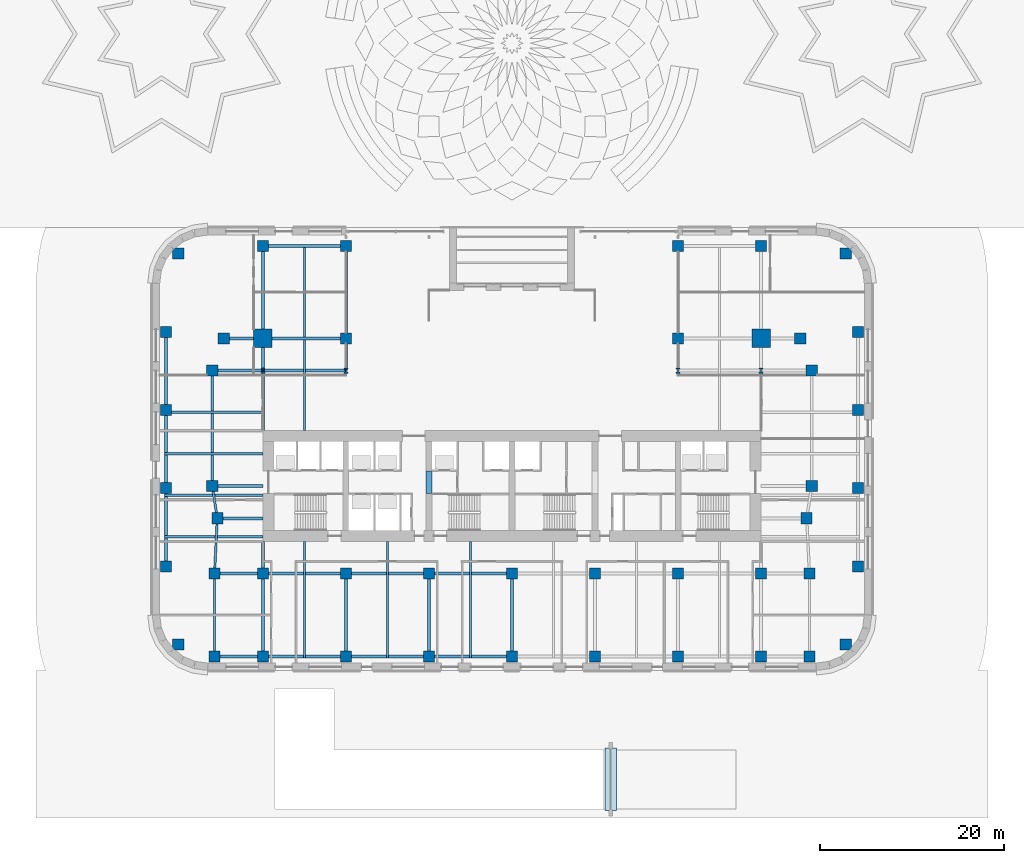
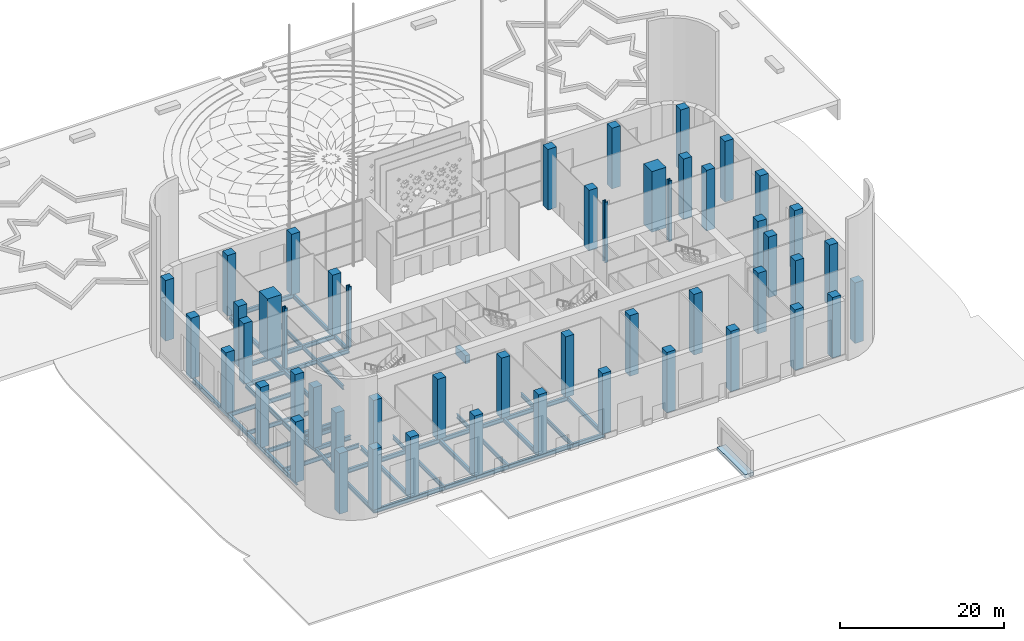
# One storey, part 1 of 23: 50 columns, 31 beams, 1 footing.
"""IFC4 building model written with IfcOpenShell, lengths in metres."""

from ifc_helpers import new_model, si_unit, direction, frame, origin, origin_2d, place, context, subcontext, project, spatial, rectangle, i_section, extrude, material, layer, layer_set, material_profile, profile_set, type_object, element, save


model = new_model("IFC4")

# Units and contexts
model_context = context("Model", 3, precision=1e-05, world=origin(), true_north=direction((0.0, 1.0)))
body_context = subcontext(model_context, "Body", "Model", "MODEL_VIEW")
ifc_project = project(units=[si_unit("LENGTHUNIT", "METRE"), si_unit("AREAUNIT", "SQUARE_METRE"), si_unit("VOLUMEUNIT", "CUBIC_METRE"), si_unit("PLANEANGLEUNIT", "RADIAN"), si_unit("MASSUNIT", "GRAM", prefix="KILO")], contexts=[model_context])

# Site, building, storey
site_placement = place(None, origin())
site = spatial("IfcSite", under=ifc_project, at=site_placement, CompositionType="ELEMENT")
building_placement = place(site_placement, origin())
building = spatial("IfcBuilding", under=site, at=building_placement, Name="Zellij Exchange Tower", CompositionType="ELEMENT")
storey_placement = place(building_placement, origin())
storey = spatial("IfcBuildingStorey", under=building, at=storey_placement, Name="L00", CompositionType="ELEMENT", Elevation=0.0)

# Footing
ifc_material_1 = material(Name="Concrete C40/50", Category="concrete")
ifc_layer = layer(ifc_material_1, 0.5)
ifc_layer_set = layer_set([ifc_layer], Name="Concrete C40/50")
footing_type = type_object("IfcFootingType", Name="STR-STRIP FOOTING 1200x500 C40/50", PredefinedType="STRIP_FOOTING", material=ifc_layer_set)
footing_placement = place(storey_placement, frame((10.705078125, -39.800048828125, -0.5), z_axis=(0.0, 0.0, 1.0), x_axis=(0.0, 1.0, 0.0)))
element("IfcFooting", 1, at=footing_placement, inside=storey, type_object=footing_type, Name="Strip footing SF2", PredefinedType="STRIP_FOOTING", context=body_context, shape_type="SweptSolid", body=[
    extrude(rectangle(XDim=6.800048828125, YDim=1.199951171875, at=origin_2d()), origin(), (0.0, 0.0, 1.0), 0.5),
])

# Columns
ifc_material_2 = material(Name="Concrete C70/85", Category="concrete")
ifc_material_profile_1 = material_profile(ifc_material_2, rectangle(XDim=1.199951171875, YDim=1.199951171875, at=origin_2d()), Name="STR-COLUMN RC1200x1200 C70/85")
ifc_profile_set_1 = profile_set([ifc_material_profile_1], Name="Concrete C70/85")
column_type_1 = type_object("IfcColumnType", Name="STR-COLUMN RC1200x1200 C70/85", PredefinedType="COLUMN", material=ifc_profile_set_1)
for number, where, z_axis, x_axis, name in (
    (2, (-32.25, -26.5, 0.0), (0.0, 0.0, 1.0), (1.0, 0.0, 0.0), "C12"),
    (3, (-27.0, -26.5, 0.0), (0.0, 0.0, 1.0), (1.0, 0.0, 0.0), "C12"),
    (4, (-18.0, -26.5, 0.0), (0.0, 0.0, 1.0), (1.0, 0.0, 0.0), "C12"),
    (5, (-9.0, -26.5, 0.0), (0.0, 0.0, 1.0), (1.0, 0.0, 0.0), "C12"),
    (6, (0.0, -26.5, 0.0), (0.0, 0.0, 1.0), (1.0, 0.0, 0.0), "C12"),
    (7, (9.0, -26.5, 0.0), (0.0, 0.0, 1.0), (1.0, 0.0, 0.0), "C12"),
    (8, (18.0, -26.5, 0.0), (0.0, 0.0, 1.0), (1.0, 0.0, 0.0), "C12"),
    (9, (27.0, -26.5, 0.0), (0.0, 0.0, 1.0), (1.0, 0.0, 0.0), "C12"),
    (10, (32.25, -26.5, 0.0), (0.0, 0.0, 1.0), (1.0, 0.0, 0.0), "C12"),
    (11, (-36.181884765625, -25.181884765625, 0.0), (0.0, 0.0, 1.0), (1.0, 0.0, 0.0), "C12"),
    (12, (36.181884765625, -25.181884765625, 0.0), (0.0, 0.0, 1.0), (1.0, 0.0, 0.0), "C12"),
    (13, (-32.25, -17.5, 0.0), (0.0, 0.0, 1.0), (1.0, 0.0, 0.0), "C12"),
    (14, (-27.0, -17.5, 0.0), (0.0, 0.0, 1.0), (1.0, 0.0, 0.0), "C12"),
    (15, (-18.0, -17.5, 0.0), (0.0, 0.0, 1.0), (1.0, 0.0, 0.0), "C12"),
    (16, (-9.0, -17.5, 0.0), (0.0, 0.0, 1.0), (1.0, 0.0, 0.0), "C12"),
    (17, (0.0, -17.5, 0.0), (0.0, 0.0, 1.0), (1.0, 0.0, 0.0), "C12"),
    (18, (9.0, -17.5, 0.0), (0.0, 0.0, 1.0), (1.0, 0.0, 0.0), "C12"),
    (19, (18.0, -17.5, 0.0), (0.0, 0.0, 1.0), (1.0, 0.0, 0.0), "C12"),
    (20, (27.0, -17.5, 0.0), (0.0, 0.0, 1.0), (1.0, 0.0, 0.0), "C12"),
    (21, (32.25, -17.5, 0.0), (0.0, 0.0, 1.0), (1.0, 0.0, 0.0), "C12"),
    (22, (-37.5, -16.709228515625, 0.0), (0.0, 0.0, 1.0), (1.0, 0.0, 0.0), "C12"),
    (23, (37.5, -16.709228515625, 0.0), (0.0, 0.0, 1.0), (1.0, 0.0, 0.0), "C12"),
    (24, (-31.949951171875, -11.5, 0.0), (0.0, 0.0, 1.0), (1.0, 0.0, 0.0), "C12"),
    (25, (31.949951171875, -11.5, 0.0), (0.0, 0.0, 1.0), (1.0, 0.0, 0.0), "C12"),
    (26, (-37.5, -8.236328125, 0.0), (0.0, 0.0, 1.0), (1.0, 0.0, 0.0), "C12"),
    (27, (37.5, -8.236328125, 0.0), (0.0, 0.0, 1.0), (1.0, 0.0, 0.0), "C12"),
    (28, (-32.5, -8.0, 0.0), (0.0, 0.0, 1.0), (1.0, 0.0, 0.0), "C12"),
    (29, (32.5, -8.0, 0.0), (0.0, 0.0, 1.0), (1.0, 0.0, 0.0), "C12"),
    (30, (-37.5, 0.236328125, 0.0), (0.0, 0.0, 1.0), (1.0, 0.0, 0.0), "C12"),
    (31, (37.5, 0.236328125, 0.0), (0.0, 0.0, 1.0), (1.0, 0.0, 0.0), "C12"),
    (32, (-32.5, 4.5, 0.0), (0.0, 0.0, 1.0), (1.0, 0.0, 0.0), "C12"),
    (33, (32.5, 4.5, 0.0), (0.0, 0.0, 1.0), (1.0, 0.0, 0.0), "C12"),
    (34, (-31.25, 8.0, 0.0), (0.0, 0.0, 1.0), (1.0, 0.0, 0.0), "C12"),
    (35, (-18.0, 8.0, 0.0), (0.0, 0.0, 1.0), (1.0, 0.0, 0.0), "C12"),
    (36, (18.0, 8.0, 0.0), (0.0, 0.0, 1.0), (1.0, 0.0, 0.0), "C12"),
    (37, (31.25, 8.0, 0.0), (0.0, 0.0, 1.0), (1.0, 0.0, 0.0), "C12"),
    (38, (-37.5, 8.709228515625, 0.0), (0.0, 0.0, 1.0), (1.0, 0.0, 0.0), "C12"),
    (39, (37.5, 8.709228515625, 0.0), (0.0, 0.0, 1.0), (1.0, 0.0, 0.0), "C12"),
    (40, (-36.181884765625, 17.181884765625, 0.0), (0.0, 0.0, 1.0), (1.0, 0.0, 0.0), "C12"),
    (41, (36.181884765625, 17.181884765625, 0.0), (0.0, 0.0, 1.0), (1.0, 0.0, 0.0), "C12"),
    (42, (-27.0, 18.0, 0.0), (0.0, 0.0, 1.0), (1.0, 0.0, 0.0), "C12"),
    (43, (-18.0, 18.0, 0.0), (0.0, 0.0, 1.0), (1.0, 0.0, 0.0), "C12"),
    (44, (18.0, 18.0, 0.0), (0.0, 0.0, 1.0), (1.0, 0.0, 0.0), "C12"),
    (45, (27.0, 18.0, 0.0), (0.0, 0.0, 1.0), (1.0, 0.0, 0.0), "C12"),
):
    element("IfcColumn", number, at=place(storey_placement, frame(where, z_axis=z_axis, x_axis=x_axis)), inside=storey, type_object=column_type_1, Name=name, PredefinedType="COLUMN", context=body_context, shape_type="SweptSolid", body=[
        extrude(rectangle(XDim=1.199951171875, YDim=1.199951171875, at=origin_2d()), origin(), (0.0, 0.0, 1.0), 9.0),
    ])
ifc_material_3 = material(Name="Structural steel ASTM A913 Gr 65", Category="steel")
ifc_material_profile_2 = material_profile(ifc_material_3, i_section(OverallWidth=0.45458984375, OverallDepth=0.56884765625, WebThickness=0.077880859375, FlangeThickness=0.124755859375, at=origin_2d()), Name="W14x730")
ifc_profile_set_2 = profile_set([ifc_material_profile_2], Name="Structural steel ASTM A913 Gr 65")
column_type_2 = type_object("IfcColumnType", Name="STR-COLUMN W14x730", PredefinedType="COLUMN", material=ifc_profile_set_2)
for number, where, z_axis, x_axis, name in (
    (46, (-27.0, 4.5, 0.0), (0.0, 0.0, 1.0), (1.0, 0.0, 0.0), "C7"),
    (47, (-18.0, 4.5, 0.0), (0.0, 0.0, 1.0), (1.0, 0.0, 0.0), "C7"),
    (48, (18.0, 4.5, 0.0), (0.0, 0.0, 1.0), (1.0, 0.0, 0.0), "C7"),
    (49, (27.0, 4.5, 0.0), (0.0, 0.0, 1.0), (1.0, 0.0, 0.0), "C7"),
):
    element("IfcColumn", number, at=place(storey_placement, frame(where, z_axis=z_axis, x_axis=x_axis)), inside=storey, type_object=column_type_2, Name=name, PredefinedType="COLUMN", context=body_context, shape_type="SweptSolid", body=[
        extrude(i_section(OverallWidth=0.45458984375, OverallDepth=0.56884765625, WebThickness=0.077880859375, FlangeThickness=0.124755859375, at=origin_2d()), origin(), (0.0, 0.0, 1.0), 9.0),
    ])
ifc_material_profile_3 = material_profile(ifc_material_2, rectangle(XDim=2.0, YDim=2.0, at=origin_2d()), Name="STR-MEGA COLUMN RC2000x2000 C70/85")
ifc_profile_set_3 = profile_set([ifc_material_profile_3], Name="Concrete C70/85")
column_type_3 = type_object("IfcColumnType", Name="STR-MEGA COLUMN RC2000x2000 C70/85", PredefinedType="COLUMN", material=ifc_profile_set_3)
for number, where, z_axis, x_axis, name in (
    (50, (-27.0, 8.0, 0.0), (0.0, 0.0, 1.0), (1.0, 0.0, 0.0), "MC8"),
    (51, (27.0, 8.0, 0.0), (0.0, 0.0, 1.0), (1.0, 0.0, 0.0), "MC8"),
):
    element("IfcColumn", number, at=place(storey_placement, frame(where, z_axis=z_axis, x_axis=x_axis)), inside=storey, type_object=column_type_3, Name=name, PredefinedType="COLUMN", context=body_context, shape_type="SweptSolid", body=[
        extrude(rectangle(XDim=2.0, YDim=2.0, at=origin_2d()), origin(), (0.0, 0.0, 1.0), 9.0),
    ])

# Beams
ifc_material_profile_4 = material_profile(ifc_material_2, rectangle(XDim=0.60009765625, YDim=1.199951171875, at=origin_2d()), Name="CORE-CB 600x1200 C70/85")
ifc_profile_set_4 = profile_set([ifc_material_profile_4], Name="Concrete C70/85")
beam_type_1 = type_object("IfcBeamType", Name="CORE-CB 600x1200 C70/85", PredefinedType="BEAM", material=ifc_profile_set_4)
beam_1_placement = place(storey_placement, frame((-9.0, -8.800048828125, 3.0), z_axis=(0.0, 1.0, 0.0), x_axis=(-1.0, 0.0, 0.0)))
element("IfcBeam", 52, at=beam_1_placement, inside=storey, type_object=beam_type_1, Name="Core coupling beam x -9 L00", PredefinedType="BEAM", context=body_context, shape_type="SweptSolid", body=[
    extrude(rectangle(XDim=0.60009765625, YDim=1.199951171875, at=origin_2d()), origin(), (0.0, 0.0, 1.0), 2.425048828125),
])
ifc_material_4 = material(Name="Structural steel ASTM A992 Gr 50", Category="steel")
ifc_material_profile_5 = material_profile(ifc_material_4, i_section(OverallWidth=0.22900390625, OverallDepth=0.612060546875, WebThickness=0.011962890625, FlangeThickness=0.01953125, at=origin_2d()), Name="W24x84")
ifc_profile_set_5 = profile_set([ifc_material_profile_5], Name="Structural steel ASTM A992 Gr 50")
beam_type_2 = type_object("IfcBeamType", Name="STR-BEAM W24x84", PredefinedType="BEAM", material=ifc_profile_set_5)
beam_2_placement = place(storey_placement, frame((-22.5, -26.66259765625, -0.606201171875), z_axis=(0.0, 1.0, 0.0), x_axis=(-1.0, 0.0, 0.0)))
element("IfcBeam", 53, at=beam_2_placement, inside=storey, type_object=beam_type_2, Name="B6", PredefinedType="BEAM", context=body_context, shape_type="SweptSolid", body=[
    extrude(i_section(OverallWidth=0.22900390625, OverallDepth=0.612060546875, WebThickness=0.011962890625, FlangeThickness=0.01953125, at=origin_2d()), origin(), (0.0, 0.0, 1.0), 12.66259765625),
])
beam_3_placement = place(storey_placement, frame((-22.5, -2.0, -0.606201171875), z_axis=(0.0, 1.0, 0.0), x_axis=(-1.0, 0.0, 0.0)))
element("IfcBeam", 54, at=beam_3_placement, inside=storey, type_object=beam_type_2, Name="B6", PredefinedType="BEAM", context=body_context, shape_type="SweptSolid", body=[
    extrude(i_section(OverallWidth=0.22900390625, OverallDepth=0.612060546875, WebThickness=0.011962890625, FlangeThickness=0.01953125, at=origin_2d()), origin(), (0.0, 0.0, 1.0), 20.16259765625),
])
for number, where, z_axis, x_axis, name in (
    (55, (-13.5, -26.66259765625, -0.606201171875), (0.0, 1.0, 0.0), (-1.0, 0.0, 0.0), "B6"),
    (56, (-4.5, -26.66259765625, -0.606201171875), (0.0, 1.0, 0.0), (-1.0, 0.0, 0.0), "B6"),
):
    element("IfcBeam", number, at=place(storey_placement, frame(where, z_axis=z_axis, x_axis=x_axis)), inside=storey, type_object=beam_type_2, Name=name, PredefinedType="BEAM", context=body_context, shape_type="SweptSolid", body=[
        extrude(i_section(OverallWidth=0.22900390625, OverallDepth=0.612060546875, WebThickness=0.011962890625, FlangeThickness=0.01953125, at=origin_2d()), origin(), (0.0, 0.0, 1.0), 12.66259765625),
    ])
for number, where, z_axis, x_axis, name in (
    (57, (-37.66259765625, -13.5, -0.606201171875), (1.0, 0.0, 0.0), (0.0, 1.0, 0.0), "B6"),
    (58, (-37.66259765625, -9.0, -0.606201171875), (1.0, 0.0, 0.0), (0.0, 1.0, 0.0), "B6"),
    (59, (-37.66259765625, -4.5, -0.606201171875), (1.0, 0.0, 0.0), (0.0, 1.0, 0.0), "B6"),
    (60, (-37.66259765625, 0.0, -0.606201171875), (1.0, 0.0, 0.0), (0.0, 1.0, 0.0), "B6"),
):
    element("IfcBeam", number, at=place(storey_placement, frame(where, z_axis=z_axis, x_axis=x_axis)), inside=storey, type_object=beam_type_2, Name=name, PredefinedType="BEAM", context=body_context, shape_type="SweptSolid", body=[
        extrude(i_section(OverallWidth=0.22900390625, OverallDepth=0.612060546875, WebThickness=0.011962890625, FlangeThickness=0.01953125, at=origin_2d()), origin(), (0.0, 0.0, 1.0), 10.66259765625),
    ])
ifc_material_profile_6 = material_profile(ifc_material_4, i_section(OverallWidth=0.25390625, OverallDepth=0.67822265625, WebThickness=0.01171875, FlangeThickness=0.016357421875, at=origin_2d()), Name="W27x84")
ifc_profile_set_6 = profile_set([ifc_material_profile_6], Name="Structural steel ASTM A992 Gr 50")
beam_type_3 = type_object("IfcBeamType", Name="STR-EDGE GIRDER W27x84", PredefinedType="BEAM", material=ifc_profile_set_6)
beam_4_placement = place(storey_placement, frame((-32.25, -26.5, -0.63916015625), z_axis=(0.0, 1.0, 0.0), x_axis=(-1.0, 0.0, 0.0)))
element("IfcBeam", 61, at=beam_4_placement, inside=storey, type_object=beam_type_3, Name="EB7", PredefinedType="BEAM", context=body_context, shape_type="SweptSolid", body=[
    extrude(i_section(OverallWidth=0.25390625, OverallDepth=0.67822265625, WebThickness=0.01171875, FlangeThickness=0.016357421875, at=origin_2d()), origin(), (0.0, 0.0, 1.0), 9.0),
])
beam_5_placement = place(storey_placement, frame((-32.25, -17.5, -0.63916015625), z_axis=(0.049945724537, 0.998751933465, 0.0), x_axis=(-0.998751933465, 0.049945724537, 0.0)))
element("IfcBeam", 62, at=beam_5_placement, inside=storey, type_object=beam_type_3, Name="EB7", PredefinedType="BEAM", context=body_context, shape_type="SweptSolid", body=[
    extrude(i_section(OverallWidth=0.25390625, OverallDepth=0.67822265625, WebThickness=0.01171875, FlangeThickness=0.016357421875, at=origin_2d()), origin(), (0.0, 0.0, 1.0), 6.007568359375),
])
beam_6_placement = place(storey_placement, frame((-31.949951171875, -11.5, -0.63916015625), z_axis=(-0.155251283593, 0.987875011802, 0.0), x_axis=(-0.987875011802, -0.155251283593, 0.0)))
element("IfcBeam", 63, at=beam_6_placement, inside=storey, type_object=beam_type_3, Name="EB7", PredefinedType="BEAM", context=body_context, shape_type="SweptSolid", body=[
    extrude(i_section(OverallWidth=0.25390625, OverallDepth=0.67822265625, WebThickness=0.01171875, FlangeThickness=0.016357421875, at=origin_2d()), origin(), (0.0, 0.0, 1.0), 3.54296875),
])
beam_7_placement = place(storey_placement, frame((-32.5, -8.0, -0.63916015625), z_axis=(0.0, 1.0, 0.0), x_axis=(-1.0, 0.0, 0.0)))
element("IfcBeam", 64, at=beam_7_placement, inside=storey, type_object=beam_type_3, Name="EB7", PredefinedType="BEAM", context=body_context, shape_type="SweptSolid", body=[
    extrude(i_section(OverallWidth=0.25390625, OverallDepth=0.67822265625, WebThickness=0.01171875, FlangeThickness=0.016357421875, at=origin_2d()), origin(), (0.0, 0.0, 1.0), 12.5),
])
ifc_material_profile_7 = material_profile(ifc_material_4, i_section(OverallWidth=0.3251953125, OverallDepth=0.612060546875, WebThickness=0.0126953125, FlangeThickness=0.01904296875, at=origin_2d()), Name="W24x104")
ifc_profile_set_7 = profile_set([ifc_material_profile_7], Name="Structural steel ASTM A992 Gr 50")
beam_type_4 = type_object("IfcBeamType", Name="STR-GIRDER W24x104", PredefinedType="BEAM", material=ifc_profile_set_7)
beam_8_placement = place(storey_placement, frame((-32.25, -26.5, -0.606201171875), z_axis=(1.0, 0.0, 0.0), x_axis=(0.0, 1.0, 0.0)))
element("IfcBeam", 65, at=beam_8_placement, inside=storey, type_object=beam_type_4, Name="G3", PredefinedType="BEAM", context=body_context, shape_type="SweptSolid", body=[
    extrude(i_section(OverallWidth=0.3251953125, OverallDepth=0.612060546875, WebThickness=0.0126953125, FlangeThickness=0.01904296875, at=origin_2d()), origin(), (0.0, 0.0, 1.0), 14.25),
])
beam_9_placement = place(storey_placement, frame((-18.0, -26.5, -0.606201171875), z_axis=(1.0, 0.0, 0.0), x_axis=(0.0, 1.0, 0.0)))
element("IfcBeam", 66, at=beam_9_placement, inside=storey, type_object=beam_type_4, Name="G3", PredefinedType="BEAM", context=body_context, shape_type="SweptSolid", body=[
    extrude(i_section(OverallWidth=0.3251953125, OverallDepth=0.612060546875, WebThickness=0.0126953125, FlangeThickness=0.01904296875, at=origin_2d()), origin(), (0.0, 0.0, 1.0), 18.0),
])
beam_10_placement = place(storey_placement, frame((-32.25, -17.5, -0.606201171875), z_axis=(1.0, 0.0, 0.0), x_axis=(0.0, 1.0, 0.0)))
element("IfcBeam", 67, at=beam_10_placement, inside=storey, type_object=beam_type_4, Name="G3", PredefinedType="BEAM", context=body_context, shape_type="SweptSolid", body=[
    extrude(i_section(OverallWidth=0.3251953125, OverallDepth=0.612060546875, WebThickness=0.0126953125, FlangeThickness=0.01904296875, at=origin_2d()), origin(), (0.0, 0.0, 1.0), 14.25),
])
beam_11_placement = place(storey_placement, frame((-18.0, -17.5, -0.606201171875), z_axis=(1.0, 0.0, 0.0), x_axis=(0.0, 1.0, 0.0)))
element("IfcBeam", 68, at=beam_11_placement, inside=storey, type_object=beam_type_4, Name="G3", PredefinedType="BEAM", context=body_context, shape_type="SweptSolid", body=[
    extrude(i_section(OverallWidth=0.3251953125, OverallDepth=0.612060546875, WebThickness=0.0126953125, FlangeThickness=0.01904296875, at=origin_2d()), origin(), (0.0, 0.0, 1.0), 18.0),
])
beam_12_placement = place(storey_placement, frame((-31.949951171875, -11.5, -0.606201171875), z_axis=(1.0, 0.0, 0.0), x_axis=(0.0, 1.0, 0.0)))
element("IfcBeam", 69, at=beam_12_placement, inside=storey, type_object=beam_type_4, Name="G3", PredefinedType="BEAM", context=body_context, shape_type="SweptSolid", body=[
    extrude(i_section(OverallWidth=0.3251953125, OverallDepth=0.612060546875, WebThickness=0.0126953125, FlangeThickness=0.01904296875, at=origin_2d()), origin(), (0.0, 0.0, 1.0), 4.949951171875),
])
beam_13_placement = place(storey_placement, frame((-32.5, -8.0, -0.606201171875), z_axis=(1.0, 0.0, 0.0), x_axis=(0.0, 1.0, 0.0)))
element("IfcBeam", 70, at=beam_13_placement, inside=storey, type_object=beam_type_4, Name="G3", PredefinedType="BEAM", context=body_context, shape_type="SweptSolid", body=[
    extrude(i_section(OverallWidth=0.3251953125, OverallDepth=0.612060546875, WebThickness=0.0126953125, FlangeThickness=0.01904296875, at=origin_2d()), origin(), (0.0, 0.0, 1.0), 5.5),
])
beam_14_placement = place(storey_placement, frame((-32.5, 4.5, -0.606201171875), z_axis=(1.0, 0.0, 0.0), x_axis=(0.0, 1.0, 0.0)))
element("IfcBeam", 71, at=beam_14_placement, inside=storey, type_object=beam_type_4, Name="G3", PredefinedType="BEAM", context=body_context, shape_type="SweptSolid", body=[
    extrude(i_section(OverallWidth=0.3251953125, OverallDepth=0.612060546875, WebThickness=0.0126953125, FlangeThickness=0.01904296875, at=origin_2d()), origin(), (0.0, 0.0, 1.0), 14.5),
])
beam_15_placement = place(storey_placement, frame((-31.25, 8.0, -0.606201171875), z_axis=(1.0, 0.0, 0.0), x_axis=(0.0, 1.0, 0.0)))
element("IfcBeam", 72, at=beam_15_placement, inside=storey, type_object=beam_type_4, Name="G3", PredefinedType="BEAM", context=body_context, shape_type="SweptSolid", body=[
    extrude(i_section(OverallWidth=0.3251953125, OverallDepth=0.612060546875, WebThickness=0.0126953125, FlangeThickness=0.01904296875, at=origin_2d()), origin(), (0.0, 0.0, 1.0), 13.25),
])
beam_16_placement = place(storey_placement, frame((-27.0, 18.0, -0.606201171875), z_axis=(1.0, 0.0, 0.0), x_axis=(0.0, 1.0, 0.0)))
element("IfcBeam", 73, at=beam_16_placement, inside=storey, type_object=beam_type_4, Name="G3", PredefinedType="BEAM", context=body_context, shape_type="SweptSolid", body=[
    extrude(i_section(OverallWidth=0.3251953125, OverallDepth=0.612060546875, WebThickness=0.0126953125, FlangeThickness=0.01904296875, at=origin_2d()), origin(), (0.0, 0.0, 1.0), 9.0),
])
beam_17_placement = place(storey_placement, frame((-37.5, -16.708984375, -0.606201171875), z_axis=(0.0, 1.0, 0.0), x_axis=(-1.0, 0.0, 0.0)))
element("IfcBeam", 74, at=beam_17_placement, inside=storey, type_object=beam_type_4, Name="G3", PredefinedType="BEAM", context=body_context, shape_type="SweptSolid", body=[
    extrude(i_section(OverallWidth=0.3251953125, OverallDepth=0.612060546875, WebThickness=0.0126953125, FlangeThickness=0.01904296875, at=origin_2d()), origin(), (0.0, 0.0, 1.0), 16.945068359375),
])
beam_18_placement = place(storey_placement, frame((-37.5, 0.236083984375, -0.606201171875), z_axis=(0.0, 1.0, 0.0), x_axis=(-1.0, 0.0, 0.0)))
element("IfcBeam", 75, at=beam_18_placement, inside=storey, type_object=beam_type_4, Name="G3", PredefinedType="BEAM", context=body_context, shape_type="SweptSolid", body=[
    extrude(i_section(OverallWidth=0.3251953125, OverallDepth=0.612060546875, WebThickness=0.0126953125, FlangeThickness=0.01904296875, at=origin_2d()), origin(), (0.0, 0.0, 1.0), 8.472900390625),
])
beam_19_placement = place(storey_placement, frame((-27.0, -26.5, -0.606201171875), z_axis=(0.0, 1.0, 0.0), x_axis=(-1.0, 0.0, 0.0)))
element("IfcBeam", 76, at=beam_19_placement, inside=storey, type_object=beam_type_4, Name="G3", PredefinedType="BEAM", context=body_context, shape_type="SweptSolid", body=[
    extrude(i_section(OverallWidth=0.3251953125, OverallDepth=0.612060546875, WebThickness=0.0126953125, FlangeThickness=0.01904296875, at=origin_2d()), origin(), (0.0, 0.0, 1.0), 12.5),
])
for number, where, z_axis, x_axis, name in (
    (77, (-27.0, -2.0, -0.606201171875), (0.0, 1.0, 0.0), (-1.0, 0.0, 0.0), "G3"),
    (78, (-27.0, 8.0, -0.606201171875), (0.0, 1.0, 0.0), (-1.0, 0.0, 0.0), "G3"),
):
    element("IfcBeam", number, at=place(storey_placement, frame(where, z_axis=z_axis, x_axis=x_axis)), inside=storey, type_object=beam_type_4, Name=name, PredefinedType="BEAM", context=body_context, shape_type="SweptSolid", body=[
        extrude(i_section(OverallWidth=0.3251953125, OverallDepth=0.612060546875, WebThickness=0.0126953125, FlangeThickness=0.01904296875, at=origin_2d()), origin(), (0.0, 0.0, 1.0), 10.0),
    ])
beam_20_placement = place(storey_placement, frame((-18.0, -26.5, -0.606201171875), z_axis=(0.0, 1.0, 0.0), x_axis=(-1.0, 0.0, 0.0)))
element("IfcBeam", 79, at=beam_20_placement, inside=storey, type_object=beam_type_4, Name="G3", PredefinedType="BEAM", context=body_context, shape_type="SweptSolid", body=[
    extrude(i_section(OverallWidth=0.3251953125, OverallDepth=0.612060546875, WebThickness=0.0126953125, FlangeThickness=0.01904296875, at=origin_2d()), origin(), (0.0, 0.0, 1.0), 9.0),
])
beam_21_placement = place(storey_placement, frame((-18.0, 4.5, -0.606201171875), z_axis=(0.0, 1.0, 0.0), x_axis=(-1.0, 0.0, 0.0)))
element("IfcBeam", 80, at=beam_21_placement, inside=storey, type_object=beam_type_4, Name="G3", PredefinedType="BEAM", context=body_context, shape_type="SweptSolid", body=[
    extrude(i_section(OverallWidth=0.3251953125, OverallDepth=0.612060546875, WebThickness=0.0126953125, FlangeThickness=0.01904296875, at=origin_2d()), origin(), (0.0, 0.0, 1.0), 13.5),
])
for number, where, z_axis, x_axis, name in (
    (81, (-9.0, -26.5, -0.606201171875), (0.0, 1.0, 0.0), (-1.0, 0.0, 0.0), "G3"),
    (82, (0.0, -26.5, -0.606201171875), (0.0, 1.0, 0.0), (-1.0, 0.0, 0.0), "G3"),
):
    element("IfcBeam", number, at=place(storey_placement, frame(where, z_axis=z_axis, x_axis=x_axis)), inside=storey, type_object=beam_type_4, Name=name, PredefinedType="BEAM", context=body_context, shape_type="SweptSolid", body=[
        extrude(i_section(OverallWidth=0.3251953125, OverallDepth=0.612060546875, WebThickness=0.0126953125, FlangeThickness=0.01904296875, at=origin_2d()), origin(), (0.0, 0.0, 1.0), 9.0),
    ])

save(model, "model.ifc")
